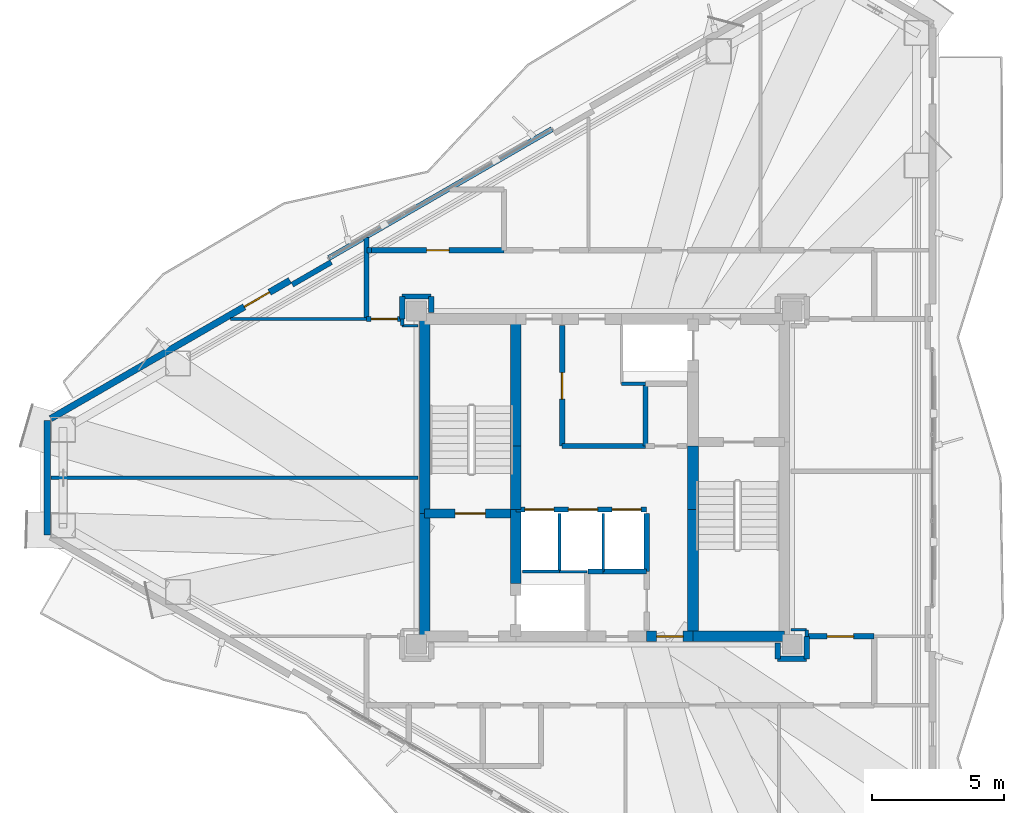
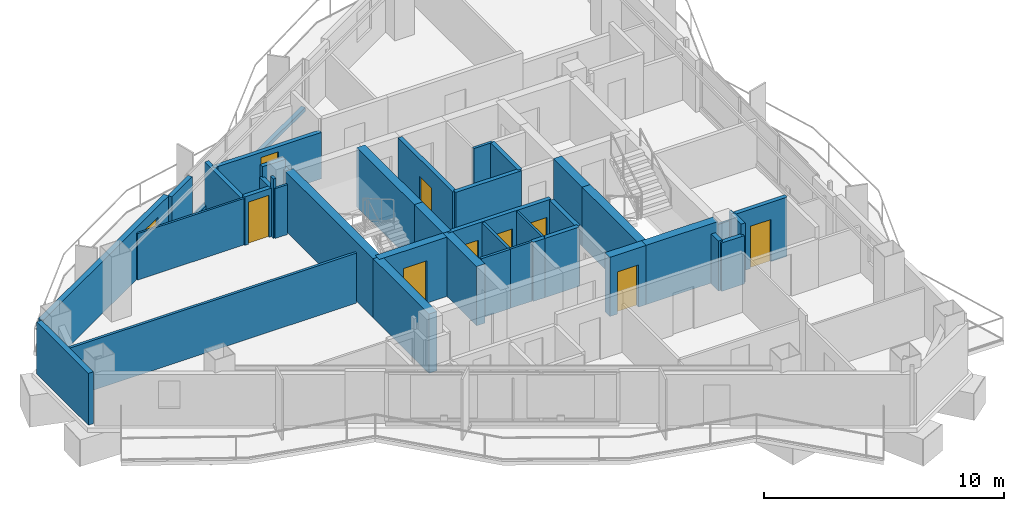
# One storey, part 18 of 22: 43 walls, 10 doors, 10 openings.
"""IFC4 building model written with IfcOpenShell, lengths in metres."""

from ifc_helpers import new_model, si_unit, direction, frame, frame_2d, origin, place, context, subcontext, project, spatial, rectangle, extrude, material, layer, layer_set, type_object, element, fill, save


model = new_model("IFC4")

# Units and contexts
model_context = context("Model", 3, precision=1e-05, world=origin(), true_north=direction((0.0, 1.0)))
body_context = subcontext(model_context, "Body", "Model", "MODEL_VIEW")
ifc_project = project(units=[si_unit("LENGTHUNIT", "METRE"), si_unit("AREAUNIT", "SQUARE_METRE"), si_unit("VOLUMEUNIT", "CUBIC_METRE"), si_unit("PLANEANGLEUNIT", "RADIAN"), si_unit("MASSUNIT", "GRAM", prefix="KILO")], contexts=[model_context])

# Site, building, storey
site_placement = place(None, origin())
site = spatial("IfcSite", under=ifc_project, at=site_placement, CompositionType="ELEMENT")
building_placement = place(site_placement, origin())
building = spatial("IfcBuilding", under=site, at=building_placement, Name="Mersakhor Tower and Convention Hall", CompositionType="ELEMENT")
storey_placement = place(building_placement, frame((0.0, 0.0, 167.39990234375)))
storey = spatial("IfcBuildingStorey", under=building, at=storey_placement, Name="L46", CompositionType="ELEMENT", Elevation=167.39990234375)

# Wall
ifc_material_1 = material(Name="Precast concrete C40/50", Category="concrete")
ifc_layer_1 = layer(ifc_material_1, 0.25)
ifc_layer_set_1 = layer_set([ifc_layer_1], Name="Precast concrete C40/50")
wall_type_1 = type_object("IfcWallType", Name="WL-EXT-250", PredefinedType="SOLIDWALL", material=ifc_layer_set_1)
wall_1_placement = place(storey_placement, frame((7.933837890625, 24.58984375, 0.0), z_axis=(0.0, 0.0, 1.0), x_axis=(0.0, 1.0, 0.0)))
element("IfcWall", 1, at=wall_1_placement, inside=storey, type_object=wall_type_1, Name="L46 Chamfer Braced Spandrel Wall C3", PredefinedType="SOLIDWALL", context=body_context, shape_type="SweptSolid", body=[
    extrude(rectangle(XDim=4.3203125, YDim=0.25, at=frame_2d((2.16015625, 0.0))), origin(), (0.0, 0.0, 1.0), 2.64013671875),
])

# Wall, opening, door
wall_2_placement = place(storey_placement, frame((8.063720703125, 28.985107421875, 0.0), z_axis=(0.0, 0.0, 1.0), x_axis=(0.866027516296, 0.499996341005, 0.0)))
wall_2 = element("IfcWall", 2, at=wall_2_placement, inside=storey, type_object=wall_type_1, Name="L46 Exterior Facade Wall F1-B1", PredefinedType="SOLIDWALL", context=body_context, shape_type="SweptSolid", body=[
    extrude(rectangle(XDim=10.4423828125, YDim=0.25, at=frame_2d((5.22119140625, 0.0))), origin(), (0.0, 0.0, 1.0), 2.64013671875),
])
opening_1_placement = place(wall_2_placement, frame((8.452880859375, 0.0, 0.0)))
opening_1 = element("IfcOpeningElement", 3, at=opening_1_placement, cuts=wall_2, Name="Opening BD-02", PredefinedType="OPENING", context=body_context, shape_type="SweptSolid", body=[
    extrude(rectangle(XDim=1.10009765625, YDim=2.10009765625, at=frame_2d((0.550048828125, 1.050048828125))), frame((0.0, 0.135009765625, 0.0), z_axis=(0.0, -1.0, 0.0), x_axis=(1.0, 0.0, 0.0)), (0.0, 0.0, 1.0), 0.27001953125),
])
ifc_material_2 = material(Name="Thermally broken dark aluminium and safety glass", Category="aluminium")
door_type_1 = type_object("IfcDoorType", Name="DR-BAL-110x210", OperationType="NOTDEFINED", PredefinedType="DOOR", material=ifc_material_2)
door_1_placement = place(opening_1_placement, origin())
door_1 = element("IfcDoor", 4, at=door_1_placement, inside=storey, type_object=door_type_1, Name="L46 Balcony Terrace Door F1-B1", OperationType="SINGLE_SWING_RIGHT", OverallHeight=2.10009765625, OverallWidth=1.10009765625, PredefinedType="DOOR", context=body_context, shape_type="SweptSolid", body=[
    extrude(rectangle(XDim=1.10009765625, YDim=2.10009765625, at=frame_2d((0.550048828125, 1.050048828125))), frame((0.0, 0.02490234375, 0.0), z_axis=(0.0, -1.0, 0.0), x_axis=(1.0, 0.0, 0.0)), (0.0, 0.0, 1.0), 0.050048828125),
])
fill(opening_1, door_1)

# Walls
ifc_material_3 = material(Name="Precast concrete C40/50", Category="concrete")
ifc_layer_2 = layer(ifc_material_3, 0.199951171875)
ifc_layer_set_2 = layer_set([ifc_layer_2], Name="Precast concrete C40/50")
wall_type_2 = type_object("IfcWallType", Name="WL-PAR-200", PredefinedType="PARAPET", material=ifc_layer_set_2)
wall_3_placement = place(storey_placement, frame((18.57958984375, 35.056396484375, 0.0), z_axis=(0.0, 0.0, 1.0), x_axis=(0.866026169916, 0.499998673018, 0.0)))
element("IfcWall", 5, at=wall_3_placement, inside=storey, type_object=wall_type_2, Name="L46 Curtain Wall Upstand Sill F1-B2", PredefinedType="PARAPET", context=body_context, shape_type="SweptSolid", body=[
    extrude(rectangle(XDim=9.7421875, YDim=0.199951171875, at=frame_2d((4.87109375, 0.0))), origin(), (0.0, 0.0, 1.0), 0.2001953125),
])
wall_4_placement = place(storey_placement, frame((17.197265625, 34.050537109375, 0.0), z_axis=(0.0, 0.0, 1.0), x_axis=(0.86605165483, 0.499954529098, 0.0)))
element("IfcWall", 6, at=wall_4_placement, inside=storey, type_object=wall_type_2, Name="L46 Column Pier Cladding Wall F1-C1", PredefinedType="PARAPET", context=body_context, shape_type="SweptSolid", body=[
    extrude(rectangle(XDim=1.699951171875, YDim=0.199951171875, at=frame_2d((0.85009765625, 0.0))), origin(), (0.0, 0.0, 1.0), 2.64013671875),
])
ifc_material_4 = material(Name="Lightweight gypsum partition", Category="other")
ifc_layer_3 = layer(ifc_material_4, 0.10009765625)
ifc_layer_set_3 = layer_set([ifc_layer_3], Name="Lightweight gypsum partition")
wall_type_3 = type_object("IfcWallType", Name="WL-PRT-100", PredefinedType="PARTITIONING", material=ifc_layer_set_3)
wall_5_placement = place(storey_placement, frame((27.300048828125, 23.199951171875, 0.0), z_axis=(0.0, 0.0, 1.0), x_axis=(1.0, 0.0, 0.0)))
element("IfcWall", 7, at=wall_5_placement, inside=storey, type_object=wall_type_3, Name="L46 Interior Partition Wall P-002", PredefinedType="PARTITIONING", context=body_context, shape_type="SweptSolid", body=[
    extrude(rectangle(XDim=1.050048828125, YDim=0.10009765625, at=frame_2d((0.52490234375, 0.0))), origin(), (0.0, 0.0, 1.0), 3.02001953125),
])
wall_6_placement = place(storey_placement, frame((28.949951171875, 25.39990234375, 0.0), z_axis=(0.0, 0.0, 1.0), x_axis=(0.0, -1.0, 0.0)))
element("IfcWall", 8, at=wall_6_placement, inside=storey, type_object=wall_type_3, Name="L46 Interior Partition Wall P-008", PredefinedType="PARTITIONING", context=body_context, shape_type="SweptSolid", body=[
    extrude(rectangle(XDim=2.199951171875, YDim=0.10009765625, at=frame_2d((1.10009765625, 0.0))), origin(), (0.0, 0.0, 1.0), 3.02001953125),
])
wall_7_placement = place(storey_placement, frame((14.85546875, 32.75, 0.0), z_axis=(0.0, 0.0, 1.0), x_axis=(1.0, 0.0, 0.0)))
element("IfcWall", 9, at=wall_7_placement, inside=storey, type_object=wall_type_3, Name="L46 Interior Partition Wall P-066", PredefinedType="PARTITIONING", context=body_context, shape_type="SweptSolid", body=[
    extrude(rectangle(XDim=5.14453125, YDim=0.10009765625, at=frame_2d((2.572265625, 0.0))), origin(), (0.0, 0.0, 1.0), 2.364990234375),
])
for number, where, z_axis, x_axis, name in (
    (10, (21.35009765625, 32.5, 0.0), (0.0, 0.0, 1.0), (1.0, 0.0, 0.0), "L46 Interior Partition Wall P-068"),
    (11, (36.64990234375, 21.0, 0.0), (0.0, 0.0, 1.0), (-1.0, 0.0, 0.0), "L46 Interior Partition Wall P-076"),
):
    element("IfcWall", number, at=place(storey_placement, frame(where, z_axis=z_axis, x_axis=x_axis)), inside=storey, type_object=wall_type_3, Name=name, PredefinedType="PARTITIONING", context=body_context, shape_type="SweptSolid", body=[
        extrude(rectangle(XDim=0.599853515625, YDim=0.10009765625, at=frame_2d((0.2998046875, 0.0))), origin(), (0.0, 0.0, 1.0), 2.545166015625),
    ])
ifc_material_5 = material(Name="Gypsum board acoustic partition", Category="other")
ifc_layer_4 = layer(ifc_material_5, 0.125)
ifc_layer_set_4 = layer_set([ifc_layer_4], Name="Gypsum board acoustic partition")
wall_type_4 = type_object("IfcWallType", Name="WL-PRT-125", PredefinedType="PARTITIONING", material=ifc_layer_set_4)
wall_8_placement = place(storey_placement, frame((25.89990234375, 23.199951171875, 0.0), z_axis=(0.0, 0.0, 1.0), x_axis=(1.0, 0.0, 0.0)))
element("IfcWall", 12, at=wall_8_placement, inside=storey, type_object=wall_type_4, Name="L46 Interior Partition Wall P-001", PredefinedType="PARTITIONING", context=body_context, shape_type="SweptSolid", body=[
    extrude(rectangle(XDim=1.400146484375, YDim=0.125, at=frame_2d((0.7001953125, 0.0))), origin(), (0.0, 0.0, 1.0), 3.02001953125),
])
wall_9_placement = place(storey_placement, frame((30.550048828125, 30.300048828125, 0.0), z_axis=(0.0, 0.0, 1.0), x_axis=(-1.0, 0.0, 0.0)))
element("IfcWall", 13, at=wall_9_placement, inside=storey, type_object=wall_type_4, Name="L46 Interior Partition Wall P-005", PredefinedType="PARTITIONING", context=body_context, shape_type="SweptSolid", body=[
    extrude(rectangle(XDim=0.900146484375, YDim=0.125, at=frame_2d((0.4501953125, 0.0))), origin(), (0.0, 0.0, 1.0), 3.02001953125),
])
wall_10_placement = place(storey_placement, frame((27.300048828125, 25.39990234375, 0.0), z_axis=(0.0, 0.0, 1.0), x_axis=(0.0, -1.0, 0.0)))
element("IfcWall", 14, at=wall_10_placement, inside=storey, type_object=wall_type_4, Name="L46 Interior Partition Wall P-007", PredefinedType="PARTITIONING", context=body_context, shape_type="SweptSolid", body=[
    extrude(rectangle(XDim=2.199951171875, YDim=0.125, at=frame_2d((1.10009765625, 0.0))), origin(), (0.0, 0.0, 1.0), 3.02001953125),
])
wall_11_placement = place(storey_placement, frame((21.35009765625, 32.75, 0.0), z_axis=(0.0, 0.0, 1.0), x_axis=(0.0, -1.0, 0.0)))
element("IfcWall", 15, at=wall_11_placement, inside=storey, type_object=wall_type_4, Name="L46 Interior Partition Wall P-067", PredefinedType="PARTITIONING", context=body_context, shape_type="SweptSolid", body=[
    extrude(rectangle(XDim=0.25, YDim=0.125, at=frame_2d((0.125, 0.0))), origin(), (0.0, 0.0, 1.0), 3.02001953125),
])
wall_12_placement = place(storey_placement, frame((21.949951171875, 26.75, 0.0), z_axis=(0.0, 0.0, 1.0), x_axis=(-1.0, 0.0, 0.0)))
element("IfcWall", 16, at=wall_12_placement, inside=storey, type_object=wall_type_4, Name="L46 Interior Partition Wall P-069", PredefinedType="PARTITIONING", context=body_context, shape_type="SweptSolid", body=[
    extrude(rectangle(XDim=13.866943359375, YDim=0.125, at=frame_2d((6.93359375, 0.0))), origin(), (0.0, 0.0, 1.0), 2.545166015625),
])
wall_13_placement = place(storey_placement, frame((36.64990234375, 20.75, 0.0), z_axis=(0.0, 0.0, 1.0), x_axis=(0.0, 1.0, 0.0)))
element("IfcWall", 17, at=wall_13_placement, inside=storey, type_object=wall_type_4, Name="L46 Interior Partition Wall P-075", PredefinedType="PARTITIONING", context=body_context, shape_type="SweptSolid", body=[
    extrude(rectangle(XDim=0.25, YDim=0.125, at=frame_2d((0.125, 0.0))), origin(), (0.0, 0.0, 1.0), 3.02001953125),
])

# Wall, openings, doors
ifc_material_6 = material(Name="Acoustic concrete blockwork and gypsum board", Category="masonry")
ifc_layer_5 = layer(ifc_material_6, 0.199951171875)
ifc_layer_set_5 = layer_set([ifc_layer_5], Name="Acoustic concrete blockwork and gypsum board")
wall_type_5 = type_object("IfcWallType", Name="WL-PRT-200", PredefinedType="PARTITIONING", material=ifc_layer_set_5)
wall_14_placement = place(storey_placement, frame((25.64990234375, 25.550048828125, 0.0), z_axis=(0.0, 0.0, 1.0), x_axis=(1.0, 0.0, 0.0)))
wall_14 = element("IfcWall", 18, at=wall_14_placement, inside=storey, type_object=wall_type_5, Name="L46 High-Rise Lift Bank Front Wall", PredefinedType="PARTITIONING", context=body_context, shape_type="SweptSolid", body=[
    extrude(rectangle(XDim=4.9501953125, YDim=0.199951171875, at=frame_2d((2.47509765625, 0.0))), origin(), (0.0, 0.0, 1.0), 3.02001953125),
])
opening_2_placement = place(wall_14_placement, frame((0.340087890625, 0.0, 0.0)))
opening_2 = element("IfcOpeningElement", 19, at=opening_2_placement, cuts=wall_14, Name="Opening LD-P4", PredefinedType="OPENING", context=body_context, shape_type="SweptSolid", body=[
    extrude(rectangle(XDim=1.10009765625, YDim=2.14990234375, at=frame_2d((0.550048828125, 1.074951171875))), frame((0.0, 0.10986328125, 0.0), z_axis=(0.0, -1.0, 0.0), x_axis=(1.0, 0.0, 0.0)), (0.0, 0.0, 1.0), 0.219970703125),
])
opening_3_placement = place(wall_14_placement, frame((1.989990234375, 0.0, 0.0)))
opening_3 = element("IfcOpeningElement", 20, at=opening_3_placement, cuts=wall_14, Name="Opening LD-P5", PredefinedType="OPENING", context=body_context, shape_type="SweptSolid", body=[
    extrude(rectangle(XDim=1.10009765625, YDim=2.14990234375, at=frame_2d((0.550048828125, 1.074951171875))), frame((0.0, 0.10986328125, 0.0), z_axis=(0.0, -1.0, 0.0), x_axis=(1.0, 0.0, 0.0)), (0.0, 0.0, 1.0), 0.219970703125),
])
opening_4_placement = place(wall_14_placement, frame((3.639892578125, 0.0, 0.0)))
opening_4 = element("IfcOpeningElement", 21, at=opening_4_placement, cuts=wall_14, Name="Opening LD-P6", PredefinedType="OPENING", context=body_context, shape_type="SweptSolid", body=[
    extrude(rectangle(XDim=1.10009765625, YDim=2.14990234375, at=frame_2d((0.550048828125, 1.074951171875))), frame((0.0, 0.10986328125, 0.0), z_axis=(0.0, -1.0, 0.0), x_axis=(1.0, 0.0, 0.0)), (0.0, 0.0, 1.0), 0.219970703125),
])
ifc_material_7 = material(Name="Fire-rated brushed stainless steel sliding landing door", Category="steel")
door_type_2 = type_object("IfcDoorType", Name="DR-LIFT-SLD-110x215", OperationType="NOTDEFINED", PredefinedType="DOOR", material=ifc_material_7)
door_2_placement = place(opening_2_placement, origin())
door_2 = element("IfcDoor", 22, at=door_2_placement, inside=storey, type_object=door_type_2, Name="L46 Lift Landing Door LD-P4", OperationType="SLIDING_TO_LEFT", OverallHeight=2.14990234375, OverallWidth=1.10009765625, PredefinedType="DOOR", context=body_context, shape_type="SweptSolid", body=[
    extrude(rectangle(XDim=1.10009765625, YDim=2.14990234375, at=frame_2d((0.550048828125, 1.074951171875))), frame((0.0, 0.02490234375, 0.0), z_axis=(0.0, -1.0, 0.0), x_axis=(1.0, 0.0, 0.0)), (0.0, 0.0, 1.0), 0.050048828125),
])
fill(opening_2, door_2)
door_3_placement = place(opening_3_placement, origin())
door_3 = element("IfcDoor", 23, at=door_3_placement, inside=storey, type_object=door_type_2, Name="L46 Lift Landing Door LD-P5", OperationType="SLIDING_TO_LEFT", OverallHeight=2.14990234375, OverallWidth=1.10009765625, PredefinedType="DOOR", context=body_context, shape_type="SweptSolid", body=[
    extrude(rectangle(XDim=1.10009765625, YDim=2.14990234375, at=frame_2d((0.550048828125, 1.074951171875))), frame((0.0, 0.02490234375, 0.0), z_axis=(0.0, -1.0, 0.0), x_axis=(1.0, 0.0, 0.0)), (0.0, 0.0, 1.0), 0.050048828125),
])
fill(opening_3, door_3)
door_4_placement = place(opening_4_placement, origin())
door_4 = element("IfcDoor", 24, at=door_4_placement, inside=storey, type_object=door_type_2, Name="L46 Lift Landing Door LD-P6", OperationType="SLIDING_TO_LEFT", OverallHeight=2.14990234375, OverallWidth=1.10009765625, PredefinedType="DOOR", context=body_context, shape_type="SweptSolid", body=[
    extrude(rectangle(XDim=1.10009765625, YDim=2.14990234375, at=frame_2d((0.550048828125, 1.074951171875))), frame((0.0, 0.02490234375, 0.0), z_axis=(0.0, -1.0, 0.0), x_axis=(1.0, 0.0, 0.0)), (0.0, 0.0, 1.0), 0.050048828125),
])
fill(opening_4, door_4)

# Walls
wall_15_placement = place(storey_placement, frame((28.949951171875, 23.199951171875, 0.0), z_axis=(0.0, 0.0, 1.0), x_axis=(-1.0, 0.0, 0.0)))
element("IfcWall", 25, at=wall_15_placement, inside=storey, type_object=wall_type_5, Name="L46 Interior Partition Wall P-009", PredefinedType="PARTITIONING", context=body_context, shape_type="SweptSolid", body=[
    extrude(rectangle(XDim=0.570068359375, YDim=0.199951171875, at=frame_2d((0.28515625, 0.0))), origin(), (0.0, 0.0, 1.0), 3.02001953125),
])
wall_16_placement = place(storey_placement, frame((30.60009765625, 25.39990234375, 0.0), z_axis=(0.0, 0.0, 1.0), x_axis=(0.0, -1.0, 0.0)))
element("IfcWall", 26, at=wall_16_placement, inside=storey, type_object=wall_type_5, Name="L46 Interior Partition Wall P-010", PredefinedType="PARTITIONING", context=body_context, shape_type="SweptSolid", body=[
    extrude(rectangle(XDim=2.199951171875, YDim=0.199951171875, at=frame_2d((1.10009765625, 0.0))), origin(), (0.0, 0.0, 1.0), 3.02001953125),
])
wall_17_placement = place(storey_placement, frame((30.60009765625, 23.199951171875, 0.0), z_axis=(0.0, 0.0, 1.0), x_axis=(-1.0, 0.0, 0.0)))
element("IfcWall", 27, at=wall_17_placement, inside=storey, type_object=wall_type_5, Name="L46 Interior Partition Wall P-011", PredefinedType="PARTITIONING", context=body_context, shape_type="SweptSolid", body=[
    extrude(rectangle(XDim=1.650146484375, YDim=0.199951171875, at=frame_2d((0.8251953125, 0.0))), origin(), (0.0, 0.0, 1.0), 3.02001953125),
])

# Wall, opening, door
wall_18_placement = place(storey_placement, frame((27.39990234375, 32.5, 0.0), z_axis=(0.0, 0.0, 1.0), x_axis=(0.0, -1.0, 0.0)))
wall_18 = element("IfcWall", 28, at=wall_18_placement, inside=storey, type_object=wall_type_5, Name="L46 Interior Partition Wall P-013", PredefinedType="PARTITIONING", context=body_context, shape_type="SweptSolid", body=[
    extrude(rectangle(XDim=4.550048828125, YDim=0.199951171875, at=frame_2d((2.27490234375, 0.0))), origin(), (0.0, 0.0, 1.0), 3.02001953125),
])
opening_5_placement = place(wall_18_placement, frame((1.77490234375, 0.0, 0.0)))
opening_5 = element("IfcOpeningElement", 29, at=opening_5_placement, cuts=wall_18, Name="Opening FD-01", PredefinedType="OPENING", context=body_context, shape_type="SweptSolid", body=[
    extrude(rectangle(XDim=1.0, YDim=2.14990234375, at=frame_2d((0.5, 1.074951171875))), frame((0.0, 0.10986328125, 0.0), z_axis=(0.0, -1.0, 0.0), x_axis=(1.0, 0.0, 0.0)), (0.0, 0.0, 1.0), 0.219970703125),
])
ifc_material_8 = material(Name="Fire-rated hardwood leaf and painted steel frame", Category="steel")
door_type_3 = type_object("IfcDoorType", Name="DR-INT-FLT-100x215", OperationType="NOTDEFINED", PredefinedType="DOOR", material=ifc_material_8)
door_5_placement = place(opening_5_placement, origin())
door_5 = element("IfcDoor", 30, at=door_5_placement, inside=storey, type_object=door_type_3, Name="L46 Central Passenger Lift Lobby to Quiet Core Study Room Door", OperationType="SINGLE_SWING_RIGHT", OverallHeight=2.14990234375, OverallWidth=1.0, PredefinedType="DOOR", context=body_context, shape_type="SweptSolid", body=[
    extrude(rectangle(XDim=1.0, YDim=2.14990234375, at=frame_2d((0.5, 1.074951171875))), frame((0.0, 0.02490234375, 0.0), z_axis=(0.0, -1.0, 0.0), x_axis=(1.0, 0.0, 0.0)), (0.0, 0.0, 1.0), 0.050048828125),
])
fill(opening_5, door_5)

# Walls
wall_19_placement = place(storey_placement, frame((27.39990234375, 27.949951171875, 0.0), z_axis=(0.0, 0.0, 1.0), x_axis=(1.0, 0.0, 0.0)))
element("IfcWall", 31, at=wall_19_placement, inside=storey, type_object=wall_type_5, Name="L46 Interior Partition Wall P-014", PredefinedType="PARTITIONING", context=body_context, shape_type="SweptSolid", body=[
    extrude(rectangle(XDim=3.150146484375, YDim=0.199951171875, at=frame_2d((1.5751953125, 0.0))), origin(), (0.0, 0.0, 1.0), 3.02001953125),
])
wall_20_placement = place(storey_placement, frame((22.449951171875, 33.0, 0.0), z_axis=(0.0, 0.0, 1.0), x_axis=(0.0, 1.0, 0.0)))
element("IfcWall", 32, at=wall_20_placement, inside=storey, type_object=wall_type_5, Name="L46 Interior Partition Wall P-017", PredefinedType="PARTITIONING", context=body_context, shape_type="SweptSolid", body=[
    extrude(rectangle(XDim=0.60009765625, YDim=0.199951171875, at=frame_2d((0.300048828125, 0.0))), origin(), (0.0, 0.0, 1.0), 2.545166015625),
])
wall_21_placement = place(storey_placement, frame((22.449951171875, 33.60009765625, 0.0), z_axis=(0.0, 0.0, 1.0), x_axis=(-1.0, 0.0, 0.0)))
element("IfcWall", 33, at=wall_21_placement, inside=storey, type_object=wall_type_5, Name="L46 Interior Partition Wall P-018", PredefinedType="PARTITIONING", context=body_context, shape_type="SweptSolid", body=[
    extrude(rectangle(XDim=1.099853515625, YDim=0.199951171875, at=frame_2d((0.5498046875, 0.0))), origin(), (0.0, 0.0, 1.0), 3.02001953125),
])
wall_22_placement = place(storey_placement, frame((21.35009765625, 33.60009765625, 0.0), z_axis=(0.0, 0.0, 1.0), x_axis=(0.0, -1.0, 0.0)))
element("IfcWall", 34, at=wall_22_placement, inside=storey, type_object=wall_type_5, Name="L46 Interior Partition Wall P-019", PredefinedType="PARTITIONING", context=body_context, shape_type="SweptSolid", body=[
    extrude(rectangle(XDim=0.85009765625, YDim=0.199951171875, at=frame_2d((0.425048828125, 0.0))), origin(), (0.0, 0.0, 1.0), 2.468505859375),
])

# Wall, opening, door
wall_23_placement = place(storey_placement, frame((21.35009765625, 32.75, 0.0), z_axis=(0.0, 0.0, 1.0), x_axis=(-1.0, 0.0, 0.0)))
wall_23 = element("IfcWall", 35, at=wall_23_placement, inside=storey, type_object=wall_type_5, Name="L46 Interior Partition Wall P-020", PredefinedType="PARTITIONING", context=body_context, shape_type="SweptSolid", body=[
    extrude(rectangle(XDim=1.35009765625, YDim=0.199951171875, at=frame_2d((0.675048828125, 0.0))), origin(), (0.0, 0.0, 1.0), 2.468505859375),
])
opening_6_placement = place(wall_23_placement, frame((0.175048828125, 0.0, 0.0)))
opening_6 = element("IfcOpeningElement", 36, at=opening_6_placement, cuts=wall_23, Name="Opening FD-01", PredefinedType="OPENING", context=body_context, shape_type="SweptSolid", body=[
    extrude(rectangle(XDim=1.0, YDim=2.14990234375, at=frame_2d((0.5, 1.074951171875))), frame((0.0, 0.10986328125, 0.0), z_axis=(0.0, -1.0, 0.0), x_axis=(1.0, 0.0, 0.0)), (0.0, 0.0, 1.0), 0.219970703125),
])
door_6_placement = place(opening_6_placement, origin())
door_6 = element("IfcDoor", 37, at=door_6_placement, inside=storey, type_object=door_type_3, Name="L46 Residential North Gallery Corridor to L46 West Wing Residents Seminar Room Door", OperationType="SINGLE_SWING_LEFT", OverallHeight=2.14990234375, OverallWidth=1.0, PredefinedType="DOOR", context=body_context, shape_type="SweptSolid", body=[
    extrude(rectangle(XDim=1.0, YDim=2.14990234375, at=frame_2d((0.5, 1.074951171875))), frame((0.0, 0.02490234375, 0.0), z_axis=(0.0, -1.0, 0.0), x_axis=(1.0, 0.0, 0.0)), (0.0, 0.0, 1.0), 0.050048828125),
])
fill(opening_6, door_6)

# Walls
wall_24_placement = place(storey_placement, frame((20.0, 32.75, 0.0), z_axis=(0.0, 0.0, 1.0), x_axis=(0.0, 1.0, 0.0)))
element("IfcWall", 38, at=wall_24_placement, inside=storey, type_object=wall_type_5, Name="L46 Interior Partition Wall P-021", PredefinedType="PARTITIONING", context=body_context, shape_type="SweptSolid", body=[
    extrude(rectangle(XDim=3.08251953125, YDim=0.199951171875, at=frame_2d((1.541259765625, 0.0))), origin(), (0.0, 0.0, 1.0), 2.364990234375),
])
wall_25_placement = place(storey_placement, frame((20.030029296875, 35.35009765625, 0.0), z_axis=(0.0, 0.0, 1.0), x_axis=(1.0, 0.0, 0.0)))
element("IfcWall", 39, at=wall_25_placement, inside=storey, type_object=wall_type_5, Name="L46 Interior Partition Wall P-022", PredefinedType="PARTITIONING", context=body_context, shape_type="SweptSolid", body=[
    extrude(rectangle(XDim=0.169921875, YDim=0.199951171875, at=frame_2d((0.0849609375, 0.0))), origin(), (0.0, 0.0, 1.0), 2.364990234375),
])

# Wall, opening, door
wall_26_placement = place(storey_placement, frame((20.199951171875, 35.35009765625, 0.0), z_axis=(0.0, 0.0, 1.0), x_axis=(1.0, 0.0, 0.0)))
wall_26 = element("IfcWall", 40, at=wall_26_placement, inside=storey, type_object=wall_type_5, Name="L46 Interior Partition Wall P-023", PredefinedType="PARTITIONING", context=body_context, shape_type="SweptSolid", body=[
    extrude(rectangle(XDim=5.0, YDim=0.199951171875, at=frame_2d((2.5, 0.0))), origin(), (0.0, 0.0, 1.0), 2.364990234375),
])
opening_7_placement = place(wall_26_placement, frame((2.074951171875, 0.0, 0.0)))
opening_7 = element("IfcOpeningElement", 41, at=opening_7_placement, cuts=wall_26, Name="Opening SVD-01", PredefinedType="OPENING", context=body_context, shape_type="SweptSolid", body=[
    extrude(rectangle(XDim=0.85009765625, YDim=2.10009765625, at=frame_2d((0.425048828125, 1.050048828125))), frame((0.0, 0.10986328125, 0.0), z_axis=(0.0, -1.0, 0.0), x_axis=(1.0, 0.0, 0.0)), (0.0, 0.0, 1.0), 0.219970703125),
])
ifc_material_9 = material(Name="Fire-rated hardwood leaf and painted steel frame", Category="steel")
door_type_4 = type_object("IfcDoorType", Name="DR-INT-SVC-085x210", OperationType="NOTDEFINED", PredefinedType="DOOR", material=ifc_material_9)
door_7_placement = place(opening_7_placement, origin())
door_7 = element("IfcDoor", 42, at=door_7_placement, inside=storey, type_object=door_type_4, Name="L46 Residential North Gallery Corridor to L46 Floor Household Store Room 1-1 Door", OperationType="SINGLE_SWING_RIGHT", OverallHeight=2.10009765625, OverallWidth=0.85009765625, PredefinedType="DOOR", context=body_context, shape_type="SweptSolid", body=[
    extrude(rectangle(XDim=0.85009765625, YDim=2.10009765625, at=frame_2d((0.425048828125, 1.050048828125))), frame((0.0, 0.02490234375, 0.0), z_axis=(0.0, -1.0, 0.0), x_axis=(1.0, 0.0, 0.0)), (0.0, 0.0, 1.0), 0.050048828125),
])
fill(opening_7, door_7)

# Walls
wall_27_placement = place(storey_placement, frame((35.550048828125, 20.5, 0.0), z_axis=(0.0, 0.0, 1.0), x_axis=(0.0, -1.0, 0.0)))
element("IfcWall", 43, at=wall_27_placement, inside=storey, type_object=wall_type_5, Name="L46 Interior Partition Wall P-032", PredefinedType="PARTITIONING", context=body_context, shape_type="SweptSolid", body=[
    extrude(rectangle(XDim=0.60009765625, YDim=0.199951171875, at=frame_2d((0.300048828125, 0.0))), origin(), (0.0, 0.0, 1.0), 2.545166015625),
])
wall_28_placement = place(storey_placement, frame((35.550048828125, 19.89990234375, 0.0), z_axis=(0.0, 0.0, 1.0), x_axis=(1.0, 0.0, 0.0)))
element("IfcWall", 44, at=wall_28_placement, inside=storey, type_object=wall_type_5, Name="L46 Interior Partition Wall P-033", PredefinedType="PARTITIONING", context=body_context, shape_type="SweptSolid", body=[
    extrude(rectangle(XDim=1.099853515625, YDim=0.199951171875, at=frame_2d((0.5498046875, 0.0))), origin(), (0.0, 0.0, 1.0), 2.468505859375),
])
wall_29_placement = place(storey_placement, frame((36.64990234375, 19.89990234375, 0.0), z_axis=(0.0, 0.0, 1.0), x_axis=(0.0, 1.0, 0.0)))
element("IfcWall", 45, at=wall_29_placement, inside=storey, type_object=wall_type_5, Name="L46 Interior Partition Wall P-034", PredefinedType="PARTITIONING", context=body_context, shape_type="SweptSolid", body=[
    extrude(rectangle(XDim=0.85009765625, YDim=0.199951171875, at=frame_2d((0.425048828125, 0.0))), origin(), (0.0, 0.0, 1.0), 3.02001953125),
])

# Wall, opening, door
wall_30_placement = place(storey_placement, frame((36.64990234375, 20.75, 0.0), z_axis=(0.0, 0.0, 1.0), x_axis=(1.0, 0.0, 0.0)))
wall_30 = element("IfcWall", 46, at=wall_30_placement, inside=storey, type_object=wall_type_5, Name="L46 Interior Partition Wall P-035", PredefinedType="PARTITIONING", context=body_context, shape_type="SweptSolid", body=[
    extrude(rectangle(XDim=2.550048828125, YDim=0.199951171875, at=frame_2d((1.27490234375, 0.0))), origin(), (0.0, 0.0, 1.0), 3.02001953125),
])
opening_8_placement = place(wall_30_placement, frame((0.77490234375, 0.0, 0.0)))
opening_8 = element("IfcOpeningElement", 47, at=opening_8_placement, cuts=wall_30, Name="Opening FD-01", PredefinedType="OPENING", context=body_context, shape_type="SweptSolid", body=[
    extrude(rectangle(XDim=1.0, YDim=2.14990234375, at=frame_2d((0.5, 1.074951171875))), frame((0.0, 0.10986328125, 0.0), z_axis=(0.0, -1.0, 0.0), x_axis=(1.0, 0.0, 0.0)), (0.0, 0.0, 1.0), 0.219970703125),
])
door_8_placement = place(opening_8_placement, origin())
door_8 = element("IfcDoor", 48, at=door_8_placement, inside=storey, type_object=door_type_3, Name="L46 Residential South Gallery Corridor to L46 East Wing Shared Tea Pantry Door", OperationType="SINGLE_SWING_LEFT", OverallHeight=2.14990234375, OverallWidth=1.0, PredefinedType="DOOR", context=body_context, shape_type="SweptSolid", body=[
    extrude(rectangle(XDim=1.0, YDim=2.14990234375, at=frame_2d((0.5, 1.074951171875))), frame((0.0, 0.02490234375, 0.0), z_axis=(0.0, -1.0, 0.0), x_axis=(1.0, 0.0, 0.0)), (0.0, 0.0, 1.0), 0.050048828125),
])
fill(opening_8, door_8)

# Wall
wall_31_placement = place(storey_placement, frame((30.550048828125, 30.300048828125, 0.0), z_axis=(0.0, 0.0, 1.0), x_axis=(0.0, -1.0, 0.0)))
element("IfcWall", 49, at=wall_31_placement, inside=storey, type_object=wall_type_5, Name="L46 Interior Partition Wall P-055", PredefinedType="PARTITIONING", context=body_context, shape_type="SweptSolid", body=[
    extrude(rectangle(XDim=2.35009765625, YDim=0.199951171875, at=frame_2d((1.175048828125, 0.0))), origin(), (0.0, 0.0, 1.0), 3.02001953125),
])

# Wall, opening, door
ifc_material_10 = material(Name="Concrete C50/60", Category="concrete")
ifc_layer_6 = layer(ifc_material_10, 0.35009765625)
ifc_layer_set_6 = layer_set([ifc_layer_6], Name="Concrete C50/60")
wall_type_6 = type_object("IfcWallType", Name="WL-SHR-350", PredefinedType="SHEAR", material=ifc_layer_set_6)
wall_32_placement = place(storey_placement, frame((22.199951171875, 25.39990234375, 0.0), z_axis=(0.0, 0.0, 1.0), x_axis=(1.0, 0.0, 0.0)))
wall_32 = element("IfcWall", 50, at=wall_32_placement, inside=storey, type_object=wall_type_6, Name="L46 Core Wall CS-ST1-S", PredefinedType="SHEAR", context=body_context, shape_type="SweptSolid", body=[
    extrude(rectangle(XDim=3.449951171875, YDim=0.35009765625, at=frame_2d((1.72509765625, 0.0))), origin(), (0.0, 0.0, 1.0), 3.02001953125),
])
opening_9_placement = place(wall_32_placement, frame((1.14990234375, 0.0, 0.0)))
opening_9 = element("IfcOpeningElement", 51, at=opening_9_placement, cuts=wall_32, Name="Opening SD-01", PredefinedType="OPENING", context=body_context, shape_type="SweptSolid", body=[
    extrude(rectangle(XDim=1.14990234375, YDim=2.14990234375, at=frame_2d((0.574951171875, 1.074951171875))), frame((0.0, 0.18505859375, 0.0), z_axis=(0.0, -1.0, 0.0), x_axis=(1.0, 0.0, 0.0)), (0.0, 0.0, 1.0), 0.3701171875),
])
ifc_material_11 = material(Name="Fire-rated hardwood leaf and painted steel frame", Category="steel")
door_type_5 = type_object("IfcDoorType", Name="DR-INT-STAIR-115x215", OperationType="NOTDEFINED", PredefinedType="DOOR", material=ifc_material_11)
door_9_placement = place(opening_9_placement, origin())
door_9 = element("IfcDoor", 52, at=door_9_placement, inside=storey, type_object=door_type_5, Name="L46 Exit Stair ST-1 Enclosure Door", OperationType="SINGLE_SWING_LEFT", OverallHeight=2.14990234375, OverallWidth=1.14990234375, PredefinedType="DOOR", context=body_context, shape_type="SweptSolid", body=[
    extrude(rectangle(XDim=1.14990234375, YDim=2.14990234375, at=frame_2d((0.574951171875, 1.074951171875))), frame((0.0, 0.02490234375, 0.0), z_axis=(0.0, -1.0, 0.0), x_axis=(1.0, 0.0, 0.0)), (0.0, 0.0, 1.0), 0.050048828125),
])
fill(opening_9, door_9)

# Walls
ifc_material_12 = material(Name="Concrete C60/75", Category="concrete")
ifc_layer_7 = layer(ifc_material_12, 0.39990234375)
ifc_layer_set_7 = layer_set([ifc_layer_7], Name="Concrete C60/75")
wall_type_7 = type_object("IfcWallType", Name="WL-SHR-400", PredefinedType="SHEAR", material=ifc_layer_set_7)
wall_33_placement = place(storey_placement, frame((22.199951171875, 20.75, 0.0), z_axis=(0.0, 0.0, 1.0), x_axis=(0.0, 1.0, 0.0)))
element("IfcWall", 53, at=wall_33_placement, inside=storey, type_object=wall_type_7, Name="L46 Core Wall CW-W1", PredefinedType="SHEAR", context=body_context, shape_type="SweptSolid", body=[
    extrude(rectangle(XDim=4.64990234375, YDim=0.39990234375, at=frame_2d((2.324951171875, 0.0))), origin(), (0.0, 0.0, 1.0), 3.02001953125),
])
wall_34_placement = place(storey_placement, frame((22.199951171875, 25.39990234375, 0.0), z_axis=(0.0, 0.0, 1.0), x_axis=(0.0, 1.0, 0.0)))
element("IfcWall", 54, at=wall_34_placement, inside=storey, type_object=wall_type_7, Name="L46 Core Wall CW-W2", PredefinedType="SHEAR", context=body_context, shape_type="SweptSolid", body=[
    extrude(rectangle(XDim=7.35009765625, YDim=0.39990234375, at=frame_2d((3.675048828125, 0.0))), origin(), (0.0, 0.0, 1.0), 3.02001953125),
])
wall_35_placement = place(storey_placement, frame((35.800048828125, 20.75, 0.0), z_axis=(0.0, 0.0, 1.0), x_axis=(-1.0, 0.0, 0.0)))
element("IfcWall", 55, at=wall_35_placement, inside=storey, type_object=wall_type_7, Name="L46 Core Wall CW-S1", PredefinedType="SHEAR", context=body_context, shape_type="SweptSolid", body=[
    extrude(rectangle(XDim=3.449951171875, YDim=0.39990234375, at=frame_2d((1.72509765625, 0.0))), origin(), (0.0, 0.0, 1.0), 3.02001953125),
])

# Wall, opening, door
wall_36_placement = place(storey_placement, frame((32.35009765625, 20.75, 0.0), z_axis=(0.0, 0.0, 1.0), x_axis=(-1.0, 0.0, 0.0)))
wall_36 = element("IfcWall", 56, at=wall_36_placement, inside=storey, type_object=wall_type_7, Name="L46 Core Wall CW-S2A", PredefinedType="SHEAR", context=body_context, shape_type="SweptSolid", body=[
    extrude(rectangle(XDim=1.75, YDim=0.39990234375, at=frame_2d((0.875, 0.0))), origin(), (0.0, 0.0, 1.0), 3.02001953125),
])
opening_10_placement = place(wall_36_placement, frame((0.375, 0.0, 0.0)))
opening_10 = element("IfcOpeningElement", 57, at=opening_10_placement, cuts=wall_36, Name="Opening CFD-01", PredefinedType="OPENING", context=body_context, shape_type="SweptSolid", body=[
    extrude(rectangle(XDim=1.0, YDim=2.14990234375, at=frame_2d((0.5, 1.074951171875))), frame((0.0, 0.2099609375, 0.0), z_axis=(0.0, -1.0, 0.0), x_axis=(1.0, 0.0, 0.0)), (0.0, 0.0, 1.0), 0.419921875),
])
ifc_material_13 = material(Name="Fire-rated hardwood leaf and painted steel frame", Category="steel")
door_type_6 = type_object("IfcDoorType", Name="DR-CORE-FD-100x215", OperationType="NOTDEFINED", PredefinedType="DOOR", material=ifc_material_13)
door_10_placement = place(opening_10_placement, origin())
door_10 = element("IfcDoor", 58, at=door_10_placement, inside=storey, type_object=door_type_6, Name="L46 Lift Lobby South Corridor Door", OperationType="SINGLE_SWING_RIGHT", OverallHeight=2.14990234375, OverallWidth=1.0, PredefinedType="DOOR", context=body_context, shape_type="SweptSolid", body=[
    extrude(rectangle(XDim=1.0, YDim=2.14990234375, at=frame_2d((0.5, 1.074951171875))), frame((0.0, 0.02490234375, 0.0), z_axis=(0.0, -1.0, 0.0), x_axis=(1.0, 0.0, 0.0)), (0.0, 0.0, 1.0), 0.050048828125),
])
fill(opening_10, door_10)

# Walls
wall_37_placement = place(storey_placement, frame((25.64990234375, 22.75, 0.0), z_axis=(0.0, 0.0, 1.0), x_axis=(0.0, 1.0, 0.0)))
element("IfcWall", 59, at=wall_37_placement, inside=storey, type_object=wall_type_7, Name="L46 Core Wall CS-W-MID", PredefinedType="SHEAR", context=body_context, shape_type="SweptSolid", body=[
    extrude(rectangle(XDim=2.800048828125, YDim=0.39990234375, at=frame_2d((1.39990234375, 0.0))), origin(), (0.0, 0.0, 1.0), 3.02001953125),
])
wall_38_placement = place(storey_placement, frame((25.64990234375, 25.550048828125, 0.0), z_axis=(0.0, 0.0, 1.0), x_axis=(0.0, 1.0, 0.0)))
element("IfcWall", 60, at=wall_38_placement, inside=storey, type_object=wall_type_7, Name="L46 Core Wall CS-W-LOB", PredefinedType="SHEAR", context=body_context, shape_type="SweptSolid", body=[
    extrude(rectangle(XDim=2.39990234375, YDim=0.39990234375, at=frame_2d((1.199951171875, 0.0))), origin(), (0.0, 0.0, 1.0), 3.02001953125),
])
for number, where, z_axis, x_axis, name in (
    (61, (25.64990234375, 27.949951171875, 0.0), (0.0, 0.0, 1.0), (0.0, 1.0, 0.0), "L46 Core Wall CS-W-ST1"),
    (62, (32.35009765625, 20.75, 0.0), (0.0, 0.0, 1.0), (0.0, 1.0, 0.0), "L46 Core Wall CS-E-ST2"),
):
    element("IfcWall", number, at=place(storey_placement, frame(where, z_axis=z_axis, x_axis=x_axis)), inside=storey, type_object=wall_type_7, Name=name, PredefinedType="SHEAR", context=body_context, shape_type="SweptSolid", body=[
        extrude(rectangle(XDim=4.800048828125, YDim=0.39990234375, at=frame_2d((2.39990234375, 0.0))), origin(), (0.0, 0.0, 1.0), 3.02001953125),
    ])
wall_39_placement = place(storey_placement, frame((32.35009765625, 25.550048828125, 0.0), z_axis=(0.0, 0.0, 1.0), x_axis=(0.0, 1.0, 0.0)))
element("IfcWall", 63, at=wall_39_placement, inside=storey, type_object=wall_type_7, Name="L46 Core Wall CS-E-LOB", PredefinedType="SHEAR", context=body_context, shape_type="SweptSolid", body=[
    extrude(rectangle(XDim=2.39990234375, YDim=0.39990234375, at=frame_2d((1.199951171875, 0.0))), origin(), (0.0, 0.0, 1.0), 3.02001953125),
])

save(model, "model.ifc")
